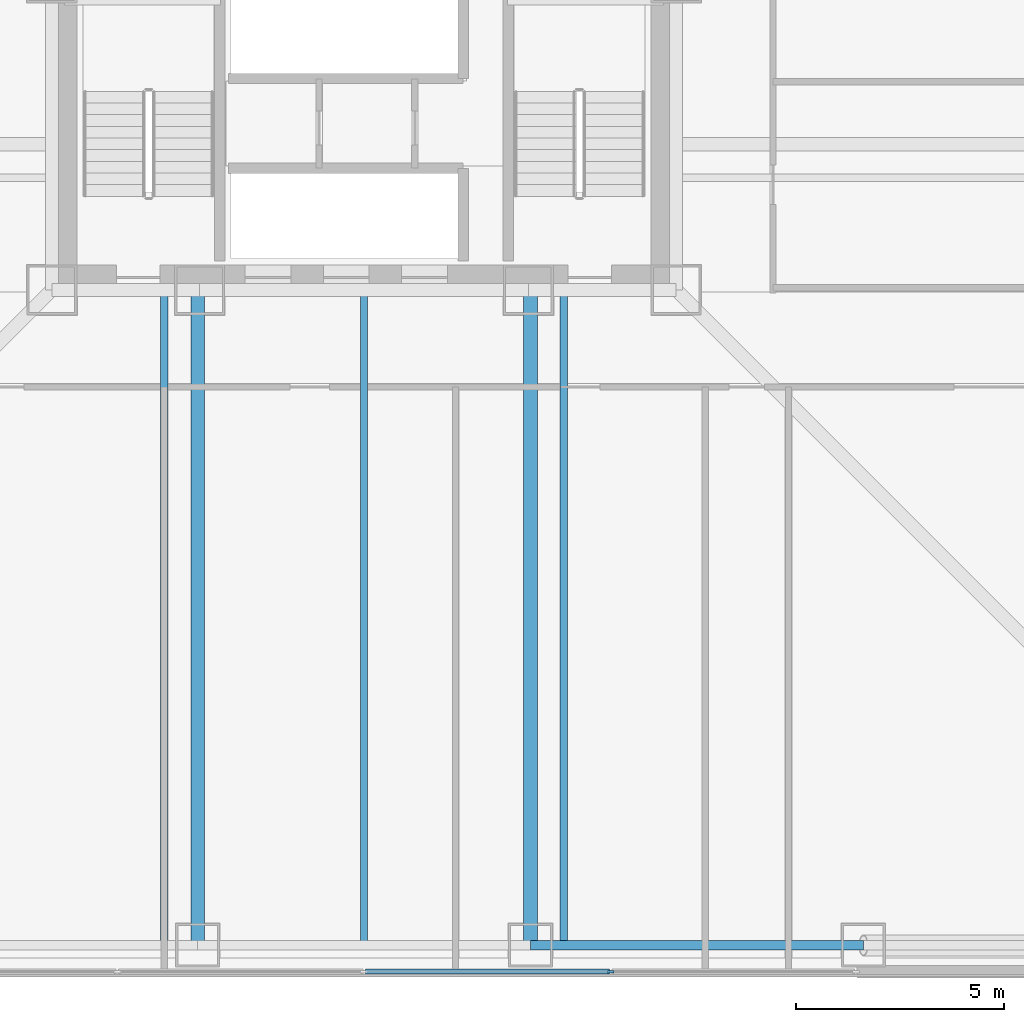
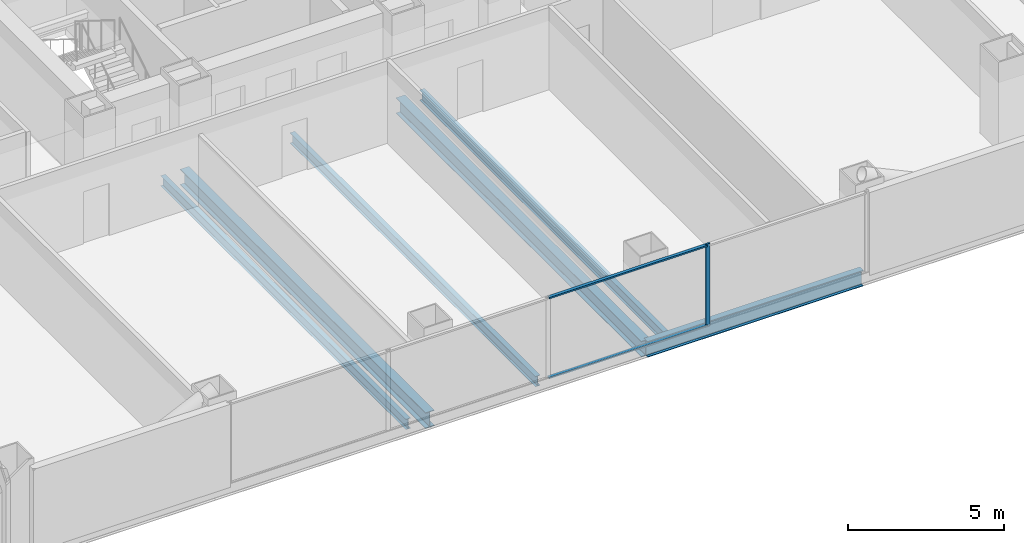
# One storey, part 3 of 15: 6 beams, 3 members, 1 element without a shape of its own.
"""IFC4 building model written with IfcOpenShell, lengths in metres."""

from ifc_helpers import new_model, si_unit, direction, frame, origin, origin_2d, place, context, subcontext, project, spatial, rectangle, i_section, extrude, material, layer, layer_set, material_profile, profile_set, type_object, element, aggregate, save


model = new_model("IFC4")

# Units and contexts
model_context = context("Model", 3, precision=1e-05, world=origin(), true_north=direction((0.0, 1.0)))
body_context = subcontext(model_context, "Body", "Model", "MODEL_VIEW")
ifc_project = project(units=[si_unit("LENGTHUNIT", "METRE"), si_unit("AREAUNIT", "SQUARE_METRE"), si_unit("VOLUMEUNIT", "CUBIC_METRE"), si_unit("PLANEANGLEUNIT", "RADIAN"), si_unit("MASSUNIT", "GRAM", prefix="KILO")], contexts=[model_context])

# Site, building, storey
site_placement = place(None, origin())
site = spatial("IfcSite", under=ifc_project, at=site_placement, CompositionType="ELEMENT")
building_placement = place(site_placement, origin())
building = spatial("IfcBuilding", under=site, at=building_placement, Name="Trevonay Congress Spire", CompositionType="ELEMENT")
storey_placement = place(building_placement, frame((0.0, 0.0, 44.5)))
storey = spatial("IfcBuildingStorey", under=building, at=storey_placement, Name="L10", CompositionType="ELEMENT", Elevation=44.5)

# Beams
ifc_material_1 = material(Name="Steel ASTM A572 Grade 50", Category="steel")
ifc_material_profile_1 = material_profile(ifc_material_1, i_section(OverallWidth=0.324951171875, OverallDepth=0.615966796875, WebThickness=0.013916015625, FlangeThickness=0.021484375, FilletRadius=0.01806640625, at=origin_2d()), Name="W610x174")
ifc_profile_set_1 = profile_set([ifc_material_profile_1], Name="Steel ASTM A572 Grade 50")
beam_type_1 = type_object("IfcBeamType", Name="BM-GIRD-W610X174", PredefinedType="BEAM", material=ifc_profile_set_1)
for number, where, z_axis, x_axis, name in (
    (1, (-4.0, -7.5, -0.55810546875), (0.0, -1.0, 0.0), (1.0, 0.0, 0.0), "L10 structural beam BM-L10-GS-M"),
    (2, (4.0, -7.5, -0.55810546875), (0.0, -1.0, 0.0), (1.0, 0.0, 0.0), "L10 structural beam BM-L10-GS-P"),
):
    element("IfcBeam", number, at=place(storey_placement, frame(where, z_axis=z_axis, x_axis=x_axis)), inside=storey, type_object=beam_type_1, Name=name, PredefinedType="BEAM", context=body_context, shape_type="SweptSolid", body=[
        extrude(i_section(OverallWidth=0.324951171875, OverallDepth=0.615966796875, WebThickness=0.013916015625, FlangeThickness=0.021484375, FilletRadius=0.01806640625, at=origin_2d()), origin(), (0.0, 0.0, 1.0), 15.75),
    ])
ifc_material_profile_2 = material_profile(ifc_material_1, i_section(OverallWidth=0.22998046875, OverallDepth=0.616943359375, WebThickness=0.01318359375, FlangeThickness=0.022216796875, FilletRadius=0.01611328125, at=origin_2d()), Name="W610x140")
ifc_profile_set_2 = profile_set([ifc_material_profile_2], Name="Steel ASTM A572 Grade 50")
beam_type_2 = type_object("IfcBeamType", Name="BM-RING-W610X140", PredefinedType="BEAM", material=ifc_profile_set_2)
beam_placement = place(storey_placement, frame((4.0, -23.25, -0.55859375), z_axis=(1.0, 0.0, 0.0), x_axis=(0.0, 1.0, 0.0)))
element("IfcBeam", 3, at=beam_placement, inside=storey, type_object=beam_type_2, Name="L10 structural beam BM-L10-PS4", PredefinedType="BEAM", context=body_context, shape_type="SweptSolid", body=[
    extrude(i_section(OverallWidth=0.22998046875, OverallDepth=0.616943359375, WebThickness=0.01318359375, FlangeThickness=0.022216796875, FilletRadius=0.01611328125, at=origin_2d()), origin(), (0.0, 0.0, 1.0), 8.0),
])

# Curtain wall, members
ifc_material_2 = material(Name="Pale Anodised Aluminium EN AW-6063-T6", Category="aluminium")
ifc_layer = layer(ifc_material_2, 0.179931640625, Name="Pale Anodised Aluminium EN AW-6063-T6")
ifc_layer_set = layer_set([ifc_layer], Name="Pale Anodised Aluminium EN AW-6063-T6")
curtain_wall_type = type_object("IfcCurtainWallType", Name="CW-SYS02-HOTEL-PALE-METAL", PredefinedType="NOTDEFINED", material=ifc_layer_set)
curtain_wall_placement = place(storey_placement, origin())
curtain_wall = element("IfcCurtainWall", 4, at=curtain_wall_placement, inside=storey, type_object=curtain_wall_type, Name="L10 S unitised curtain wall", PredefinedType="NOTDEFINED")
ifc_material_profile_3 = material_profile(ifc_material_2, rectangle(XDim=0.06005859375, YDim=0.159912109375, at=origin_2d()), Name="CW-MULLION-160-ALUMINIUM")
ifc_profile_set_3 = profile_set([ifc_material_profile_3], Name="Pale Anodised Aluminium EN AW-6063-T6")
member_type_1 = type_object("IfcMemberType", Name="CW-MULLION-160-ALUMINIUM", PredefinedType="MULLION", material=ifc_profile_set_3)
member_1_placement = place(storey_placement, frame((5.925048828125, -23.8798828125, 0.0), z_axis=(0.0, 0.0, 1.0), x_axis=(0.0, 1.0, 0.0)))
member_1 = element("IfcMember", 5, at=member_1_placement, type_object=member_type_1, Name="CW02 mullion 4", PredefinedType="MULLION", context=body_context, shape_type="SweptSolid", body=[
    extrude(rectangle(XDim=0.06005859375, YDim=0.159912109375, at=origin_2d()), origin(), (0.0, 0.0, 1.0), 3.25),
])
ifc_material_profile_4 = material_profile(ifc_material_2, rectangle(XDim=0.1201171875, YDim=0.06005859375, at=origin_2d()), Name="CW-TRANSOM-120-ALUMINIUM")
ifc_profile_set_4 = profile_set([ifc_material_profile_4], Name="Pale Anodised Aluminium EN AW-6063-T6")
member_type_2 = type_object("IfcMemberType", Name="CW-TRANSOM-120-ALUMINIUM", PredefinedType="USERDEFINED", material=ifc_profile_set_4)
member_2_placement = place(storey_placement, frame((0.030029296875, -23.8798828125, 0.06005859375), z_axis=(1.0, 0.0, 0.0), x_axis=(0.0, 1.0, 0.0)))
member_2 = element("IfcMember", 6, at=member_2_placement, type_object=member_type_2, Name="CW02 transom 3.1", ObjectType="TRANSOM", PredefinedType="USERDEFINED", context=body_context, shape_type="SweptSolid", body=[
    extrude(rectangle(XDim=0.1201171875, YDim=0.06005859375, at=origin_2d()), origin(), (0.0, 0.0, 1.0), 5.864990234375),
])
member_3_placement = place(storey_placement, frame((0.030029296875, -23.8798828125, 3.18994140625), z_axis=(1.0, 0.0, 0.0), x_axis=(0.0, 1.0, 0.0)))
member_3 = element("IfcMember", 7, at=member_3_placement, type_object=member_type_2, Name="CW02 transom 3.2", ObjectType="TRANSOM", PredefinedType="USERDEFINED", context=body_context, shape_type="SweptSolid", body=[
    extrude(rectangle(XDim=0.1201171875, YDim=0.06005859375, at=origin_2d()), origin(), (0.0, 0.0, 1.0), 5.864990234375),
])
aggregate(curtain_wall, [member_1, member_2, member_3])

# Beams
ifc_material_profile_5 = material_profile(ifc_material_1, i_section(OverallWidth=0.177978515625, OverallDepth=0.406982421875, WebThickness=0.0078125, FlangeThickness=0.0126953125, FilletRadius=0.012939453125, at=origin_2d()), Name="W410x60")
ifc_profile_set_5 = profile_set([ifc_material_profile_5], Name="Steel ASTM A572 Grade 50")
beam_type_3 = type_object("IfcBeamType", Name="JS-COMP-W410X60", PredefinedType="JOIST", material=ifc_profile_set_5)
for number, where, z_axis, x_axis, name in (
    (8, (-4.800048828125, -23.25, -0.45361328125), (0.0, 1.0, 0.0), (-1.0, 0.0, 0.0), "L10 structural beam JS-L10-NS-S1"),
    (9, (0.0, -23.25, -0.45361328125), (0.0, 1.0, 0.0), (-1.0, 0.0, 0.0), "L10 structural beam JS-L10-NS-S2"),
    (10, (4.800048828125, -23.25, -0.45361328125), (0.0, 1.0, 0.0), (-1.0, 0.0, 0.0), "L10 structural beam JS-L10-NS-S3"),
):
    element("IfcBeam", number, at=place(storey_placement, frame(where, z_axis=z_axis, x_axis=x_axis)), inside=storey, type_object=beam_type_3, Name=name, PredefinedType="JOIST", context=body_context, shape_type="SweptSolid", body=[
        extrude(i_section(OverallWidth=0.177978515625, OverallDepth=0.406982421875, WebThickness=0.0078125, FlangeThickness=0.0126953125, FilletRadius=0.012939453125, at=origin_2d()), origin(), (0.0, 0.0, 1.0), 15.75),
    ])

save(model, "model.ifc")
